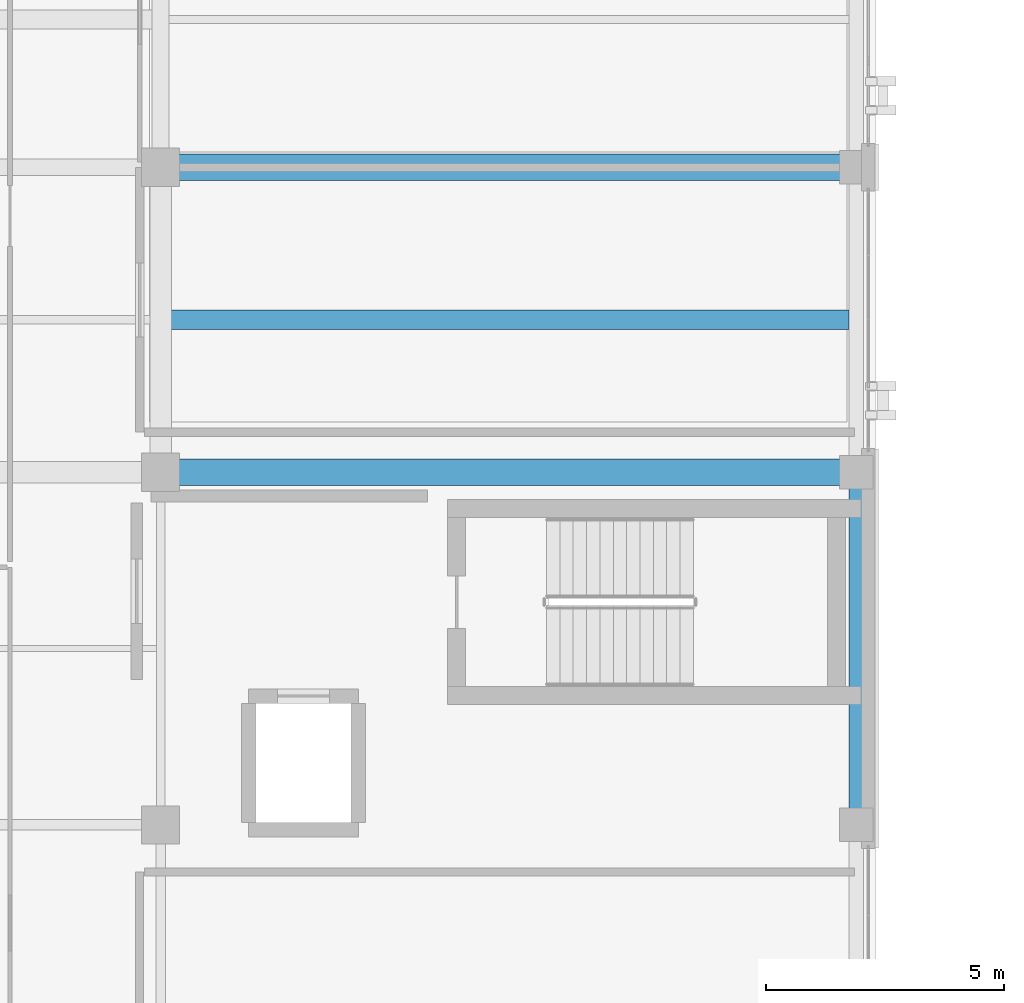
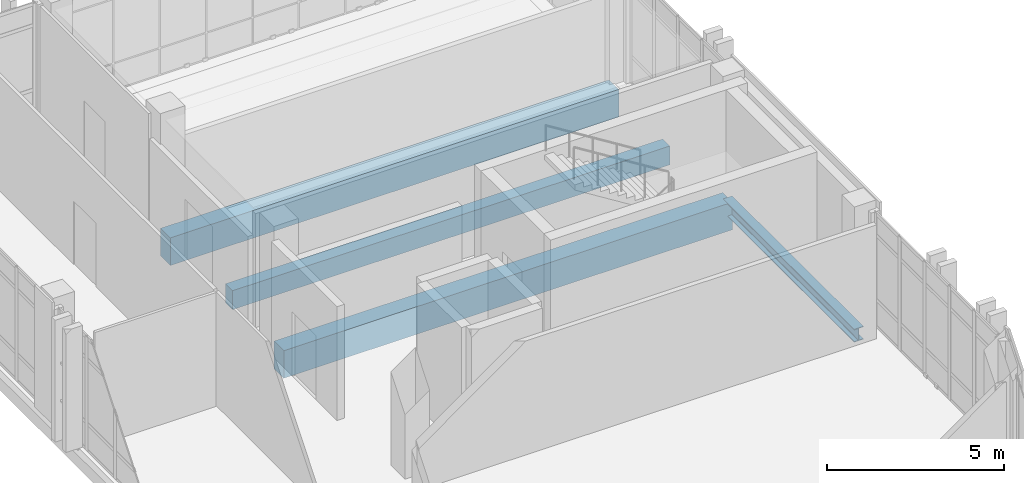
# One storey, part 103 of 165: 4 beams.
"""IFC4 building model written with IfcOpenShell, lengths in metres."""

from ifc_helpers import new_model, si_unit, direction, frame, origin, origin_2d, place, context, subcontext, project, spatial, rectangle, i_section, extrude, material, material_profile, profile_set, type_object, element, save


model = new_model("IFC4")

# Units and contexts
model_context = context("Model", 3, precision=1e-05, world=origin(), true_north=direction((0.0, 1.0)))
body_context = subcontext(model_context, "Body", "Model", "MODEL_VIEW")
ifc_project = project(units=[si_unit("LENGTHUNIT", "METRE"), si_unit("AREAUNIT", "SQUARE_METRE"), si_unit("VOLUMEUNIT", "CUBIC_METRE"), si_unit("PLANEANGLEUNIT", "RADIAN"), si_unit("MASSUNIT", "GRAM", prefix="KILO")], contexts=[model_context])

# Site, building, storey
site_placement = place(None, origin())
site = spatial("IfcSite", under=ifc_project, at=site_placement, CompositionType="ELEMENT")
building_placement = place(site_placement, origin())
building = spatial("IfcBuilding", under=site, at=building_placement, Name="Qalavern Law Courts", CompositionType="ELEMENT")
storey_placement = place(building_placement, frame((0.0, 0.0, 14.39990234375)))
storey = spatial("IfcBuildingStorey", under=building, at=storey_placement, Name="L03", CompositionType="ELEMENT", Elevation=14.39990234375)

# Beams
ifc_material_1 = material(Name="Concrete C40/50", Category="concrete")
ifc_material_profile_1 = material_profile(ifc_material_1, rectangle(XDim=0.550048828125, YDim=0.949951171875, at=origin_2d()), Name="RC 550x950")
ifc_profile_set_1 = profile_set([ifc_material_profile_1], Name="Concrete C40/50")
beam_type_1 = type_object("IfcBeamType", Name="STR-BM-RC550x950", PredefinedType="BEAM", material=ifc_profile_set_1)
for number, where, z_axis, x_axis, name in (
    (1, (91.800048828125, 72.800048828125, -0.760009765625), (1.0, 0.0, 0.0), (0.0, 1.0, 0.0), "V4 X-beam 5-2 L03"),
    (2, (91.800048828125, 79.199951171875, -0.760009765625), (1.0, 0.0, 0.0), (0.0, 1.0, 0.0), "V4 X-beam 6-2 L03"),
):
    element("IfcBeam", number, at=place(storey_placement, frame(where, z_axis=z_axis, x_axis=x_axis)), inside=storey, type_object=beam_type_1, Name=name, PredefinedType="BEAM", context=body_context, shape_type="SweptSolid", body=[
        extrude(rectangle(XDim=0.550048828125, YDim=0.949951171875, at=origin_2d()), origin(), (0.0, 0.0, 1.0), 14.599853515625),
    ])
ifc_material_2 = material(Name="Concrete C35/45", Category="concrete")
ifc_material_profile_2 = material_profile(ifc_material_2, rectangle(XDim=0.39990234375, YDim=0.64990234375, at=origin_2d()), Name="RC 400x650")
ifc_profile_set_2 = profile_set([ifc_material_profile_2], Name="Concrete C35/45")
beam_type_2 = type_object("IfcBeamType", Name="STR-JST-RC400x650", PredefinedType="JOIST", material=ifc_profile_set_2)
beam_1_placement = place(storey_placement, frame((92.02294921875, 76.0, -0.60986328125), z_axis=(1.0, 0.0, 0.0), x_axis=(0.0, 1.0, 0.0)))
element("IfcBeam", 3, at=beam_1_placement, inside=storey, type_object=beam_type_2, Name="V4 secondary joist 2.5.1 L03", PredefinedType="JOIST", context=body_context, shape_type="SweptSolid", body=[
    extrude(rectangle(XDim=0.39990234375, YDim=0.64990234375, at=origin_2d()), origin(), (0.0, 0.0, 1.0), 14.22900390625),
])
ifc_material_3 = material(Name="Steel S355", Category="steel")
ifc_material_profile_3 = material_profile(ifc_material_3, i_section(OverallWidth=0.300048828125, OverallDepth=0.449951171875, WebThickness=0.013916015625, FlangeThickness=0.02587890625, FilletRadius=0.027099609375, at=origin_2d()), Name="HEB 450")
ifc_profile_set_3 = profile_set([ifc_material_profile_3], Name="Steel S355")
beam_type_3 = type_object("IfcBeamType", Name="STR-SP-HEB450", PredefinedType="SPANDREL", material=ifc_profile_set_3)
beam_2_placement = place(storey_placement, frame((106.39990234375, 65.39990234375, -0.510009765625), z_axis=(0.0, 1.0, 0.0), x_axis=(-1.0, 0.0, 0.0)))
element("IfcBeam", 4, at=beam_2_placement, inside=storey, type_object=beam_type_3, Name="V4 Y-beam 3-4 L03", PredefinedType="SPANDREL", context=body_context, shape_type="SweptSolid", body=[
    extrude(i_section(OverallWidth=0.300048828125, OverallDepth=0.449951171875, WebThickness=0.013916015625, FlangeThickness=0.02587890625, FilletRadius=0.027099609375, at=origin_2d()), origin(), (0.0, 0.0, 1.0), 7.400146484375),
])

save(model, "model.ifc")
